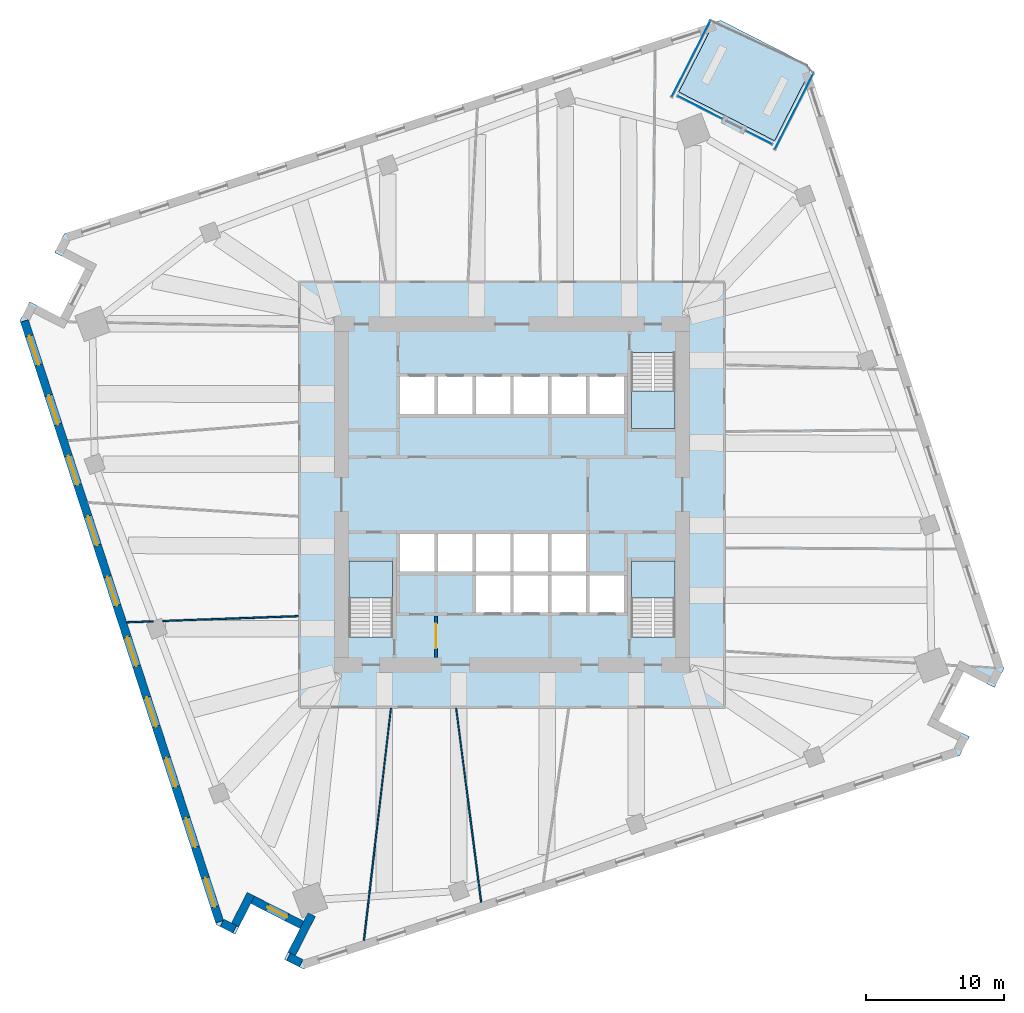
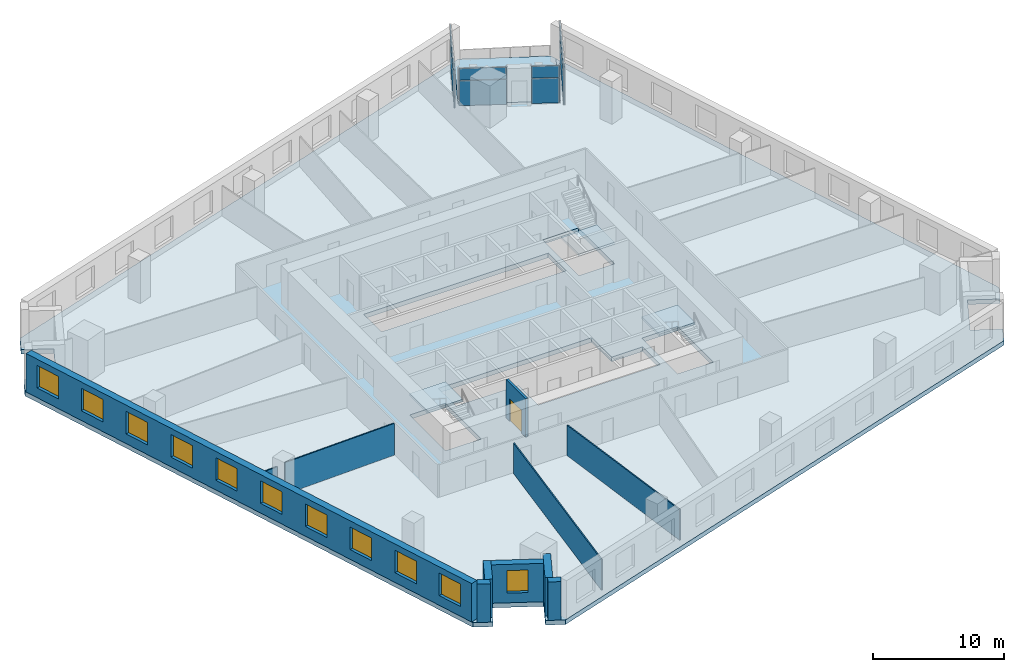
# One storey, part 5 of 12: 11 walls, 11 windows, 8 plates, 5 slabs, 1 door, 12 openings, 7 elements without a shape of their own.
"""IFC4 building model written with IfcOpenShell, lengths in metres."""

import ifcopenshell
import ifcopenshell.guid

model = None  # the IFC model being written
_history = None  # IfcOwnerHistory: only IFC2X3 demands one
_inside = {}  # id of a spatial element -> (the spatial element, [elements in it])
_under = {}  # id of a project, library or spatial element -> (it, [spatial elements below it])
_declared = {}  # id of a project -> (the project, [libraries it declares])
_typed = {}  # id of a type object -> (the type object, [elements of that type])
_made_of = {}  # id of a material, layer set ... -> (it, [elements and type objects made of it])


def new_model(schema):
    """Start an empty IFC model of exactly this schema.

    Asked for "IFC4X3", IfcOpenShell would pick the latest addendum, in which some entities
    have other attributes; the version numbers below select the first issue.
    IFC2X3 requires an IfcOwnerHistory on every rooted entity: one is made here for all.
    """
    global model, _history
    if schema == "IFC4X3":
        model = ifcopenshell.file(schema_version=(4, 3, 0, 0))
    else:
        model = ifcopenshell.file(schema=schema)
    _inside.clear()
    _under.clear()
    _declared.clear()
    _typed.clear()
    _made_of.clear()
    _history = None
    if model.schema == "IFC2X3":
        org = make("IfcOrganization", Name="unknown")
        user = make(
            "IfcPersonAndOrganization",
            ThePerson=make("IfcPerson", FamilyName="unknown"),
            TheOrganization=org,
        )
        app = make(
            "IfcApplication",
            ApplicationDeveloper=org,
            Version="unknown",
            ApplicationFullName="unknown",
            ApplicationIdentifier="unknown",
        )
        _history = make(
            "IfcOwnerHistory",
            OwningUser=user,
            OwningApplication=app,
            ChangeAction="ADDED",
            CreationDate=0,
        )
    return model


def make(cls, **values):
    """One entity of the class cls with the attributes given. An attribute that is None is left unset."""
    return model.create_entity(
        cls, **{name: value for name, value in values.items() if value is not None}
    )


def rooted(cls, **values):
    """An entity with a GlobalId (a new one), such as an element, a storey or a relation."""
    return make(cls, GlobalId=ifcopenshell.guid.new(), OwnerHistory=_history, **values)


def si_unit(unit_type, name, prefix=None):
    """IfcSIUnit, for example si_unit("LENGTHUNIT", "METRE", prefix="MILLI")."""
    return make("IfcSIUnit", UnitType=unit_type, Prefix=prefix, Name=name)


def assignment(units):
    """IfcUnitAssignment: the units of a project."""
    return None if units is None else make("IfcUnitAssignment", Units=units)


def point(xyz):
    """IfcCartesianPoint."""
    return None if xyz is None else make("IfcCartesianPoint", Coordinates=xyz)


def direction(xyz):
    """IfcDirection."""
    return None if xyz is None else make("IfcDirection", DirectionRatios=xyz)


def frame(location, z_axis=None, x_axis=None):
    """IfcAxis2Placement3D, a coordinate frame: its origin and axes. An axis left out is left unset."""
    return make(
        "IfcAxis2Placement3D",
        Location=point(location),
        Axis=direction(z_axis),
        RefDirection=direction(x_axis),
    )


def frame_2d(location, x_axis=None):
    """IfcAxis2Placement2D, a coordinate frame in the plane: its origin and x axis."""
    return make(
        "IfcAxis2Placement2D", Location=point(location), RefDirection=direction(x_axis)
    )


def origin():
    """The frame at (0, 0, 0) with its axes left unset."""
    return frame((0.0, 0.0, 0.0))


def origin_2d():
    """The frame at (0, 0) in the plane with its x axis left unset."""
    return frame_2d((0.0, 0.0))


def place(relative_to, where):
    """IfcLocalPlacement: puts the frame where relative to a parent placement (None: the world)."""
    return make(
        "IfcLocalPlacement", PlacementRelTo=relative_to, RelativePlacement=where
    )


def context(
    kind, dimensions, precision=None, world=None, true_north=None, identifier=None
):
    """IfcGeometricRepresentationContext, for example the 3D "Model" context."""
    return make(
        "IfcGeometricRepresentationContext",
        ContextIdentifier=identifier,
        ContextType=kind,
        CoordinateSpaceDimension=dimensions,
        Precision=precision,
        WorldCoordinateSystem=world,
        TrueNorth=true_north,
    )


def subcontext(parent, identifier, kind, view, scale=None):
    """IfcGeometricRepresentationSubContext, for example "Body" below "Model"."""
    return make(
        "IfcGeometricRepresentationSubContext",
        ContextIdentifier=identifier,
        ContextType=kind,
        ParentContext=parent,
        TargetScale=scale,
        TargetView=view,
    )


def project(units=None, contexts=None):
    """IfcProject with its units and contexts."""
    return rooted(
        "IfcProject",
        Name="project",
        RepresentationContexts=contexts,
        UnitsInContext=assignment(units),
    )


def spatial(cls, under=None, at=None, **own):
    """A site, building, storey or space (cls), placed at a placement, below another one or the project."""
    s = rooted(cls, ObjectPlacement=at, **own)
    if under is not None:
        _under.setdefault(under.id(), (under, []))[1].append(s)
    return s


def polyline(points):
    """IfcPolyline through the points."""
    return make("IfcPolyline", Points=[point(p) for p in points])


def profile(cls, at=None, kind="AREA", **sizes):
    """A parametric profile (cls). Its sizes go by their IFC names, for example OverallWidth=200.0."""
    return make(cls, ProfileType=kind, Position=at, **sizes)


def rectangle(**sizes):
    """IfcRectangleProfileDef."""
    return profile("IfcRectangleProfileDef", **sizes)


def outline(outer, holes=None, kind="AREA"):
    """IfcArbitraryClosedProfileDef: a profile drawn as a closed curve; with holes, ...WithVoids."""
    if holes is None:
        return make("IfcArbitraryClosedProfileDef", ProfileType=kind, OuterCurve=outer)
    return make(
        "IfcArbitraryProfileDefWithVoids",
        ProfileType=kind,
        OuterCurve=outer,
        InnerCurves=holes,
    )


def extrude(swept, where, along, depth):
    """IfcExtrudedAreaSolid: the profile swept, set in the frame where, extruded along a direction by depth."""
    return make(
        "IfcExtrudedAreaSolid",
        SweptArea=swept,
        Position=where,
        ExtrudedDirection=direction(along),
        Depth=depth,
    )


def shape(context_of_items, identifier, shape_type, items):
    """IfcShapeRepresentation: the items that make up one representation, for example the "Body"."""
    return make(
        "IfcShapeRepresentation",
        ContextOfItems=context_of_items,
        RepresentationIdentifier=identifier,
        RepresentationType=shape_type,
        Items=items,
    )


def material(Name=None, Category=None):
    """IfcMaterial."""
    return make("IfcMaterial", Name=Name, Category=Category)


def layer(
    of_material, thickness, ventilated=None, Name=None, Category=None, Priority=None
):
    """IfcMaterialLayer: one layer of a wall or slab, of a material (None: an air gap)."""
    return make(
        "IfcMaterialLayer",
        Material=of_material,
        LayerThickness=thickness,
        IsVentilated=ventilated,
        Name=Name,
        Category=Category,
        Priority=Priority,
    )


def layer_set(layers, Name=None):
    """IfcMaterialLayerSet."""
    return make("IfcMaterialLayerSet", MaterialLayers=layers, LayerSetName=Name)


def made_of(thing, what):
    """Note that an element or type object is made of a material, layer set ...; save() writes the relation."""
    if what is not None:
        _made_of.setdefault(what.id(), (what, []))[1].append(thing)
    return thing


def type_object(cls, material=None, **own):
    """A type object (cls), such as IfcWallType, which elements share."""
    return made_of(rooted(cls, **own), material)


def element(
    cls,
    number,
    at=None,
    inside=None,
    cuts=None,
    type_object=None,
    material=None,
    context=None,
    identifier="Body",
    shape_type=None,
    held_by="IfcProductDefinitionShape",
    body=None,
    shapes=None,
    **own,
):
    """One element of the class cls, such as IfcWall. Its Tag is "e" and its number.

    at: its placement. inside: the storey or other place that contains it. cuts: it is an
    opening in that element (IfcRelVoidsElement). A single representation is given by context,
    identifier, shape_type and body (its items); several are given by shapes. held_by: the class
    of the entity that holds the representations. save() writes the other relations.
    """
    e = rooted(cls, Tag="e%d" % number, ObjectPlacement=at, **own)
    if body is not None:
        shapes = [shape(context, identifier, shape_type, body)]
    if shapes is not None:
        e.Representation = make(held_by, Representations=shapes)
    if inside is not None:
        _inside.setdefault(inside.id(), (inside, []))[1].append(e)
    if cuts is not None:
        rooted(
            "IfcRelVoidsElement", RelatingBuildingElement=cuts, RelatedOpeningElement=e
        )
    if type_object is not None:
        _typed.setdefault(type_object.id(), (type_object, []))[1].append(e)
    return made_of(e, material)


def fill(opening, filler):
    """IfcRelFillsElement: the door or window that sits in an opening."""
    return rooted(
        "IfcRelFillsElement",
        RelatingOpeningElement=opening,
        RelatedBuildingElement=filler,
    )


def aggregate(whole, parts):
    """IfcRelAggregates: a whole, such as a stair, and the parts it consists of."""
    return rooted("IfcRelAggregates", RelatingObject=whole, RelatedObjects=parts)


def save(model, path):
    """Write the relations noted so far, then the file.

    IfcRelAggregates (storeys below a building ...), IfcRelContainedInSpatialStructure (elements
    in a storey), IfcRelDefinesByType, IfcRelAssociatesMaterial and IfcRelDeclares: one each for
    every whole, place, type object, material and project.
    """
    for whole, parts in _under.values():
        aggregate(whole, parts)
    for where, things in _inside.values():
        rooted(
            "IfcRelContainedInSpatialStructure",
            RelatedElements=things,
            RelatingStructure=where,
        )
    for kind, things in _typed.values():
        rooted("IfcRelDefinesByType", RelatedObjects=things, RelatingType=kind)
    for what, things in _made_of.values():
        rooted("IfcRelAssociatesMaterial", RelatedObjects=things, RelatingMaterial=what)
    for by, libraries in _declared.values():
        rooted("IfcRelDeclares", RelatingContext=by, RelatedDefinitions=libraries)
    model.write(path)


model = new_model("IFC4")

# Units and contexts
model_context = context("Model", 3, precision=1e-05, world=origin(), true_north=direction((0.0, 1.0)))
body_context = subcontext(model_context, "Body", "Model", "MODEL_VIEW")
ifc_project = project(units=[si_unit("LENGTHUNIT", "METRE"), si_unit("AREAUNIT", "SQUARE_METRE"), si_unit("VOLUMEUNIT", "CUBIC_METRE"), si_unit("PLANEANGLEUNIT", "RADIAN"), si_unit("MASSUNIT", "GRAM", prefix="KILO")], contexts=[model_context])

# Site, building, storey
site_placement = place(None, origin())
site = spatial("IfcSite", under=ifc_project, at=site_placement, CompositionType="ELEMENT")
building_placement = place(site_placement, origin())
building = spatial("IfcBuilding", under=site, at=building_placement, Name="Dilmun Exchange Tower", CompositionType="ELEMENT")
storey_placement = place(building_placement, frame((0.0, 0.0, 90.10009765625)))
storey = spatial("IfcBuildingStorey", under=building, at=storey_placement, Name="L20", CompositionType="ELEMENT", Elevation=90.10009765625)

# Stair, slab
ifc_material_1 = material(Name="Concrete C40/50", Category="concrete")
stair_type = type_object("IfcStairType", Name="Exit stair 1500 half-turn", PredefinedType="HALF_TURN_STAIR", material=ifc_material_1)
stair_1_placement = place(storey_placement, origin())
stair_1 = element("IfcStair", 1, at=stair_1_placement, inside=storey, type_object=stair_type, Name="L20 Protected exit stair ST1", PredefinedType="HALF_TURN_STAIR")
ifc_layer_1 = layer(ifc_material_1, 0.199951171875)
ifc_layer_set_1 = layer_set([ifc_layer_1], Name="Concrete C40/50")
slab_type_1 = type_object("IfcSlabType", Name="Exit stair landing 200", PredefinedType="LANDING", material=ifc_layer_set_1)
slab_1_placement = place(storey_placement, frame((0.0, 0.0, 1.7998046875)))
slab_1 = element("IfcSlab", 2, at=slab_1_placement, type_object=slab_type_1, Name="ST1 landing 1", PredefinedType="LANDING", context=body_context, shape_type="SweptSolid", body=[
    extrude(outline(polyline([(8.64990234375, 7.5), (8.64990234375, 4.800048828125), (11.800048828125, 4.800048828125), (11.800048828125, 7.5), (8.64990234375, 7.5)])), origin(), (0.0, 0.0, 1.0), 0.2001953125),
])
aggregate(stair_1, [slab_1])

stair_2_placement = place(storey_placement, origin())
stair_2 = element("IfcStair", 3, at=stair_2_placement, inside=storey, type_object=stair_type, Name="L20 Protected exit stair ST2", PredefinedType="HALF_TURN_STAIR")
slab_2_placement = place(storey_placement, frame((0.0, 0.0, 1.7998046875)))
slab_2 = element("IfcSlab", 4, at=slab_2_placement, type_object=slab_type_1, Name="ST2 landing 1", PredefinedType="LANDING", context=body_context, shape_type="SweptSolid", body=[
    extrude(outline(polyline([(-8.64990234375, -7.5), (-8.64990234375, -4.800048828125), (-11.800048828125, -4.800048828125), (-11.800048828125, -7.5), (-8.64990234375, -7.5)])), origin(), (0.0, 0.0, 1.0), 0.2001953125),
])
aggregate(stair_2, [slab_2])

stair_3_placement = place(storey_placement, origin())
stair_3 = element("IfcStair", 5, at=stair_3_placement, inside=storey, type_object=stair_type, Name="L20 Protected exit stair ST3", PredefinedType="HALF_TURN_STAIR")
slab_3_placement = place(storey_placement, frame((0.0, 0.0, 1.7998046875)))
slab_3 = element("IfcSlab", 6, at=slab_3_placement, type_object=slab_type_1, Name="ST3 landing 1", PredefinedType="LANDING", context=body_context, shape_type="SweptSolid", body=[
    extrude(outline(polyline([(11.800048828125, -7.5), (11.800048828125, -4.800048828125), (8.64990234375, -4.800048828125), (8.64990234375, -7.5), (11.800048828125, -7.5)])), origin(), (0.0, 0.0, 1.0), 0.2001953125),
])
aggregate(stair_3, [slab_3])

# Curtain wall, plates
ifc_material_2 = material(Name="Anodised aluminium and clear glass", Category="aluminium")
curtain_wall_type = type_object("IfcCurtainWallType", Name="Garden corner glazing", PredefinedType="NOTDEFINED", material=ifc_material_2)
curtain_wall_1_placement = place(storey_placement, origin())
curtain_wall_1 = element("IfcCurtainWall", 7, at=curtain_wall_1_placement, inside=storey, type_object=curtain_wall_type, Name="Garden corner glazing run GC1.1", PredefinedType="NOTDEFINED")
ifc_material_3 = material(Name="Clear glass", Category="glass")
ifc_layer_2 = layer(ifc_material_3, 0.028076171875)
ifc_layer_set_2 = layer_set([ifc_layer_2], Name="Clear glass")
plate_type = type_object("IfcPlateType", Name="Garden corner glazing glass panel 28", PredefinedType="CURTAIN_PANEL", material=ifc_layer_set_2)
plate_1_placement = place(storey_placement, frame((20.42822265625, 27.750244140625, 0.059814453125), z_axis=(0.0, 0.0, 1.0), x_axis=(-0.453988613418, -0.891007485315, 0.0)))
plate_1 = element("IfcPlate", 8, at=plate_1_placement, type_object=plate_type, Name="GC1.1 panel 1.1", PredefinedType="CURTAIN_PANEL", context=body_context, shape_type="SweptSolid", body=[
    extrude(rectangle(XDim=6.12646484375, YDim=0.028076171875, at=origin_2d()), origin(), (0.0, 0.0, 1.0), 2.31005859375),
])
plate_2_placement = place(storey_placement, frame((20.42822265625, 27.750244140625, 2.4296875), z_axis=(0.0, 0.0, 1.0), x_axis=(-0.453988613418, -0.891007485315, 0.0)))
plate_2 = element("IfcPlate", 9, at=plate_2_placement, type_object=plate_type, Name="GC1.1 panel 1.2", PredefinedType="CURTAIN_PANEL", context=body_context, shape_type="SweptSolid", body=[
    extrude(rectangle(XDim=6.12646484375, YDim=0.028076171875, at=origin_2d()), origin(), (0.0, 0.0, 1.0), 1.090087890625),
])
aggregate(curtain_wall_1, [plate_1, plate_2])

curtain_wall_2_placement = place(storey_placement, origin())
curtain_wall_2 = element("IfcCurtainWall", 10, at=curtain_wall_2_placement, inside=storey, type_object=curtain_wall_type, Name="Garden corner glazing run GC2.1", PredefinedType="NOTDEFINED")
plate_3_placement = place(storey_placement, frame((17.881591796875, 25.879150390625, 0.059814453125), z_axis=(0.0, 0.0, 1.0), x_axis=(-0.891016319837, 0.453971274184, 0.0)))
plate_3 = element("IfcPlate", 11, at=plate_3_placement, type_object=plate_type, Name="GC2.1 panel 1.1", PredefinedType="CURTAIN_PANEL", context=body_context, shape_type="SweptSolid", body=[
    extrude(rectangle(XDim=2.119140625, YDim=0.028076171875, at=origin_2d()), origin(), (0.0, 0.0, 1.0), 2.31005859375),
])
plate_4_placement = place(storey_placement, frame((17.881591796875, 25.879150390625, 2.4296875), z_axis=(0.0, 0.0, 1.0), x_axis=(-0.891016319837, 0.453971274184, 0.0)))
plate_4 = element("IfcPlate", 12, at=plate_4_placement, type_object=plate_type, Name="GC2.1 panel 1.2", PredefinedType="CURTAIN_PANEL", context=body_context, shape_type="SweptSolid", body=[
    extrude(rectangle(XDim=2.119140625, YDim=0.028076171875, at=origin_2d()), origin(), (0.0, 0.0, 1.0), 1.090087890625),
])
aggregate(curtain_wall_2, [plate_3, plate_4])

curtain_wall_3_placement = place(storey_placement, origin())
curtain_wall_3 = element("IfcCurtainWall", 13, at=curtain_wall_3_placement, inside=storey, type_object=curtain_wall_type, Name="Garden corner glazing run GC2.3", PredefinedType="NOTDEFINED")
plate_5_placement = place(storey_placement, frame((13.614501953125, 28.053466796875, 0.059814453125), z_axis=(0.0, 0.0, 1.0), x_axis=(-0.891004797005, 0.453993889512, 0.0)))
plate_5 = element("IfcPlate", 14, at=plate_5_placement, type_object=plate_type, Name="GC2.3 panel 1.1", PredefinedType="CURTAIN_PANEL", context=body_context, shape_type="SweptSolid", body=[
    extrude(rectangle(XDim=3.619140625, YDim=0.028076171875, at=origin_2d()), origin(), (0.0, 0.0, 1.0), 2.31005859375),
])
plate_6_placement = place(storey_placement, frame((13.614501953125, 28.053466796875, 2.4296875), z_axis=(0.0, 0.0, 1.0), x_axis=(-0.891004797005, 0.453993889512, 0.0)))
plate_6 = element("IfcPlate", 15, at=plate_6_placement, type_object=plate_type, Name="GC2.3 panel 1.2", PredefinedType="CURTAIN_PANEL", context=body_context, shape_type="SweptSolid", body=[
    extrude(rectangle(XDim=3.619140625, YDim=0.028076171875, at=origin_2d()), origin(), (0.0, 0.0, 1.0), 1.090087890625),
])
aggregate(curtain_wall_3, [plate_5, plate_6])

curtain_wall_4_placement = place(storey_placement, origin())
curtain_wall_4 = element("IfcCurtainWall", 16, at=curtain_wall_4_placement, inside=storey, type_object=curtain_wall_type, Name="Garden corner glazing run GC3.1", PredefinedType="NOTDEFINED")
plate_7_placement = place(storey_placement, frame((12.963134765625, 31.553955078125, 0.059814453125), z_axis=(0.0, 0.0, 1.0), x_axis=(0.453988613418, 0.891007485315, 0.0)))
plate_7 = element("IfcPlate", 17, at=plate_7_placement, type_object=plate_type, Name="GC3.1 panel 1.1", PredefinedType="CURTAIN_PANEL", context=body_context, shape_type="SweptSolid", body=[
    extrude(rectangle(XDim=6.12646484375, YDim=0.028076171875, at=origin_2d()), origin(), (0.0, 0.0, 1.0), 2.31005859375),
])
plate_8_placement = place(storey_placement, frame((12.963134765625, 31.553955078125, 2.4296875), z_axis=(0.0, 0.0, 1.0), x_axis=(0.453988613418, 0.891007485315, 0.0)))
plate_8 = element("IfcPlate", 18, at=plate_8_placement, type_object=plate_type, Name="GC3.1 panel 1.2", PredefinedType="CURTAIN_PANEL", context=body_context, shape_type="SweptSolid", body=[
    extrude(rectangle(XDim=6.12646484375, YDim=0.028076171875, at=origin_2d()), origin(), (0.0, 0.0, 1.0), 1.090087890625),
])
aggregate(curtain_wall_4, [plate_7, plate_8])

# Slabs
ifc_layer_3 = layer(ifc_material_1, 0.419921875)
ifc_layer_set_3 = layer_set([ifc_layer_3], Name="Concrete C40/50")
slab_type_2 = type_object("IfcSlabType", Name="RC floor slab 420", PredefinedType="FLOOR", material=ifc_layer_set_3)
slab_4_placement = place(storey_placement, frame((0.0, 0.0, -0.420166015625)))
element("IfcSlab", 19, at=slab_4_placement, inside=storey, type_object=slab_type_2, Name="Floor slab", PredefinedType="FLOOR", context=body_context, shape_type="SweptSolid", body=[
    extrude(outline(polyline([(34.94189453125, -13.971923828125), (32.714599609375, -12.8369140625), (30.8984375, -16.40087890625), (33.1259765625, -17.535888671875), (32.428955078125, -18.904296875), (-15.123779296875, -34.35498046875), (-16.4921875, -33.657958984375), (-15.357177734375, -31.430419921875), (-18.921142578125, -29.614501953125), (-20.05615234375, -31.841796875), (-21.42431640625, -31.144775390625), (-35.63916015625, 12.603759765625), (-34.94189453125, 13.971923828125), (-32.714599609375, 12.8369140625), (-30.8984375, 16.40087890625), (-33.1259765625, 17.535888671875), (-32.428955078125, 18.904296875), (14.6484375, 34.200439453125), (12.0849609375, 29.16943359375), (19.015380859375, 25.63818359375), (21.578857421875, 30.669189453125), (35.63916015625, -12.603759765625), (34.94189453125, -13.971923828125)]), holes=[polyline([(-8.64990234375, -4.800048828125), (-11.800048828125, -4.800048828125), (-11.800048828125, -10.294921875), (-8.64990234375, -10.294921875), (-8.64990234375, -4.800048828125)]), polyline([(11.800048828125, -4.800048828125), (8.64990234375, -4.800048828125), (8.64990234375, -10.294921875), (11.800048828125, -10.294921875), (11.800048828125, -4.800048828125)]), polyline([(-8.125, -2.85009765625), (-8.125, -5.550048828125), (-2.625, -5.550048828125), (-2.625, -8.550048828125), (8.125, -8.550048828125), (8.125, -5.85009765625), (5.375, -5.85009765625), (5.375, -2.85009765625), (-8.125, -2.85009765625)]), polyline([(-8.125, 5.85009765625), (8.125, 5.85009765625), (8.125, 8.550048828125), (-8.125, 8.550048828125), (-8.125, 5.85009765625)]), polyline([(8.64990234375, 10.294921875), (8.64990234375, 4.800048828125), (11.800048828125, 4.800048828125), (11.800048828125, 10.294921875), (8.64990234375, 10.294921875)])]), origin(), (0.0, 0.0, 1.0), 0.420166015625),
])
ifc_layer_4 = layer(ifc_material_1, 0.300048828125)
ifc_layer_set_4 = layer_set([ifc_layer_4], Name="Concrete C40/50")
slab_type_3 = type_object("IfcSlabType", Name="RC garden terrace slab 300", PredefinedType="FLOOR", material=ifc_layer_set_4)
slab_5_placement = place(storey_placement, frame((0.0, 0.0, -0.300048828125)))
element("IfcSlab", 20, at=slab_5_placement, inside=storey, type_object=slab_type_3, Name="Garden terrace slab", PredefinedType="FLOOR", context=body_context, shape_type="SweptSolid", body=[
    extrude(outline(polyline([(12.0849609375, 29.16943359375), (14.6484375, 34.200439453125), (15.123779296875, 34.35498046875), (21.42431640625, 31.144775390625), (21.578857421875, 30.669189453125), (19.015380859375, 25.63818359375), (12.0849609375, 29.16943359375)])), origin(), (0.0, 0.0, 1.0), 0.300048828125),
])

# Wall, opening, door
ifc_layer_5 = layer(ifc_material_1, 0.199951171875)
ifc_layer_set_5 = layer_set([ifc_layer_5], Name="Concrete C40/50")
wall_type_1 = type_object("IfcWallType", Name="Core partition wall 200", PredefinedType="PARTITIONING", material=ifc_layer_set_5)
wall_1_placement = place(storey_placement, frame((-5.5, -11.794921875, 0.0), z_axis=(0.0, 0.0, 1.0), x_axis=(0.0, 1.0, 0.0)))
wall_1 = element("IfcWall", 21, at=wall_1_placement, inside=storey, type_object=wall_type_1, Name="L20 core partition wall 01", PredefinedType="PARTITIONING", context=body_context, shape_type="SweptSolid", body=[
    extrude(rectangle(XDim=2.989990234375, YDim=0.199951171875, at=frame_2d((1.4951171875, 0.0))), origin(), (0.0, 0.0, 1.0), 3.579833984375),
])
opening_1_placement = place(wall_1_placement, frame((0.657470703125, 0.0, 0.0)))
opening_1 = element("IfcOpeningElement", 22, at=opening_1_placement, cuts=wall_1, Name="Opening CD5", PredefinedType="OPENING", context=body_context, shape_type="SweptSolid", body=[
    extrude(rectangle(XDim=1.800048828125, YDim=2.10009765625, at=frame_2d((0.89990234375, 1.050048828125))), frame((0.0, 0.10986328125, 0.0), z_axis=(0.0, -1.0, 0.0), x_axis=(1.0, 0.0, 0.0)), (0.0, 0.0, 1.0), 0.219970703125),
])
ifc_material_4 = material(Name="Fire-rated steel door set", Category="steel")
door_type = type_object("IfcDoorType", Name="Stair exit door 1800x2100", OperationType="SINGLE_SWING_LEFT", PredefinedType="DOOR", material=ifc_material_4)
door_placement = place(opening_1_placement, origin())
door = element("IfcDoor", 23, at=door_placement, inside=storey, type_object=door_type, Name="L20 door Service lobby east", OperationType="SINGLE_SWING_LEFT", OverallHeight=2.10009765625, OverallWidth=1.800048828125, PredefinedType="DOOR", context=body_context, shape_type="SweptSolid", body=[
    extrude(rectangle(XDim=1.800048828125, YDim=2.10009765625, at=frame_2d((0.89990234375, 1.050048828125))), frame((0.0, 0.02490234375, 0.0), z_axis=(0.0, -1.0, 0.0), x_axis=(1.0, 0.0, 0.0)), (0.0, 0.0, 1.0), 0.050048828125),
])
fill(opening_1, door)

# Walls
ifc_material_5 = material(Name="Partition 100")
ifc_layer_6 = layer(ifc_material_5, 0.10009765625)
ifc_layer_set_6 = layer_set([ifc_layer_6], Name="Partition 100")
wall_type_2 = type_object("IfcWallType", Name="Partition 100", PredefinedType="PARTITIONING", material=ifc_layer_set_6)
wall_2_placement = place(storey_placement, frame((-27.906005859375, -9.248291015625, 0.0), z_axis=(0.0, 0.0, 1.0), x_axis=(0.999356144168, 0.035878922986, 0.0)))
element("IfcWall", 24, at=wall_2_placement, inside=storey, type_object=wall_type_2, Name="Partition", PredefinedType="PARTITIONING", context=body_context, shape_type="SweptSolid", body=[
    extrude(rectangle(XDim=1.9052734375, YDim=0.10009765625, at=frame_2d((0.95263671875, 0.0))), origin(), (0.0, 0.0, 1.0), 2.829833984375),
])
wall_3_placement = place(storey_placement, frame((-25.297119140625, -9.154541015625, 0.0), z_axis=(0.0, 0.0, 1.0), x_axis=(0.999351792824, 0.035999919148, 0.0)))
element("IfcWall", 25, at=wall_3_placement, inside=storey, type_object=wall_type_2, Name="Partition", PredefinedType="PARTITIONING", context=body_context, shape_type="SweptSolid", body=[
    extrude(rectangle(XDim=9.82666015625, YDim=0.10009765625, at=frame_2d((4.913330078125, 0.0))), origin(), (0.0, 0.0, 1.0), 2.9599609375),
])
wall_4_placement = place(storey_placement, frame((-10.7255859375, -32.29296875, 0.0), z_axis=(0.0, 0.0, 1.0), x_axis=(0.115510456464, 0.993306264174, 0.0)))
element("IfcWall", 26, at=wall_4_placement, inside=storey, type_object=wall_type_2, Name="Partition", PredefinedType="PARTITIONING", context=body_context, shape_type="SweptSolid", body=[
    extrude(rectangle(XDim=16.925537109375, YDim=0.10009765625, at=frame_2d((8.462890625, 0.0))), origin(), (0.0, 0.0, 1.0), 2.829833984375),
])
wall_5_placement = place(storey_placement, frame((-4.04443359375, -15.4814453125, 0.0), z_axis=(0.0, 0.0, 1.0), x_axis=(0.12789369757, -0.991787881617, 0.0)))
element("IfcWall", 27, at=wall_5_placement, inside=storey, type_object=wall_type_2, Name="Partition", PredefinedType="PARTITIONING", context=body_context, shape_type="SweptSolid", body=[
    extrude(rectangle(XDim=14.168212890625, YDim=0.10009765625, at=frame_2d((7.083984375, 0.0))), origin(), (0.0, 0.0, 1.0), 2.829833984375),
])

# Wall, openings, windows
ifc_material_6 = material(Name="Precast concrete C50/60", Category="concrete")
ifc_layer_7 = layer(ifc_material_6, 0.60009765625)
ifc_layer_set_7 = layer_set([ifc_layer_7], Name="Precast concrete C50/60")
wall_type_3 = type_object("IfcWallType", Name="Precast stone-clad wall 600", PredefinedType="STANDARD", material=ifc_layer_set_7)
wall_6_placement = place(storey_placement, frame((-35.3154296875, 12.578369140625, 0.0), z_axis=(0.0, 0.0, 1.0), x_axis=(0.309016329352, -0.951056732374, 0.0)))
wall_6 = element("IfcWall", 28, at=wall_6_placement, inside=storey, type_object=wall_type_3, Name="Facade wall L20-09", PredefinedType="STANDARD", context=body_context, shape_type="SweptSolid", body=[
    extrude(rectangle(XDim=45.75146484375, YDim=0.60009765625, at=frame_2d((22.875732421875, 0.0))), origin(), (0.0, 0.0, 1.0), 3.579833984375),
])
opening_2_placement = place(wall_6_placement, frame((1.137939453125, 0.0, 0.89990234375)))
opening_2 = element("IfcOpeningElement", 29, at=opening_2_placement, cuts=wall_6, Name="Opening W220-210", PredefinedType="OPENING", context=body_context, shape_type="SweptSolid", body=[
    extrude(rectangle(XDim=2.199951171875, YDim=2.10009765625, at=frame_2d((1.10009765625, 1.050048828125))), frame((0.0, 0.31005859375, 0.0), z_axis=(0.0, -1.0, 0.0), x_axis=(1.0, 0.0, 0.0)), (0.0, 0.0, 1.0), 0.6201171875),
])
opening_3_placement = place(wall_6_placement, frame((5.67578125, 0.0, 0.89990234375)))
opening_3 = element("IfcOpeningElement", 30, at=opening_3_placement, cuts=wall_6, Name="Opening W220-210", PredefinedType="OPENING", context=body_context, shape_type="SweptSolid", body=[
    extrude(rectangle(XDim=2.199951171875, YDim=2.10009765625, at=frame_2d((1.10009765625, 1.050048828125))), frame((0.0, 0.31005859375, 0.0), z_axis=(0.0, -1.0, 0.0), x_axis=(1.0, 0.0, 0.0)), (0.0, 0.0, 1.0), 0.6201171875),
])
opening_4_placement = place(wall_6_placement, frame((10.275634765625, 0.0, 0.89990234375)))
opening_4 = element("IfcOpeningElement", 31, at=opening_4_placement, cuts=wall_6, Name="Opening W220-210", PredefinedType="OPENING", context=body_context, shape_type="SweptSolid", body=[
    extrude(rectangle(XDim=2.199951171875, YDim=2.10009765625, at=frame_2d((1.10009765625, 1.050048828125))), frame((0.0, 0.31005859375, 0.0), z_axis=(0.0, -1.0, 0.0), x_axis=(1.0, 0.0, 0.0)), (0.0, 0.0, 1.0), 0.6201171875),
])
opening_5_placement = place(wall_6_placement, frame((14.875732421875, 0.0, 0.89990234375)))
opening_5 = element("IfcOpeningElement", 32, at=opening_5_placement, cuts=wall_6, Name="Opening W220-210", PredefinedType="OPENING", context=body_context, shape_type="SweptSolid", body=[
    extrude(rectangle(XDim=2.199951171875, YDim=2.10009765625, at=frame_2d((1.10009765625, 1.050048828125))), frame((0.0, 0.31005859375, 0.0), z_axis=(0.0, -1.0, 0.0), x_axis=(1.0, 0.0, 0.0)), (0.0, 0.0, 1.0), 0.6201171875),
])
opening_6_placement = place(wall_6_placement, frame((19.4755859375, 0.0, 0.89990234375)))
opening_6 = element("IfcOpeningElement", 33, at=opening_6_placement, cuts=wall_6, Name="Opening W220-210", PredefinedType="OPENING", context=body_context, shape_type="SweptSolid", body=[
    extrude(rectangle(XDim=2.199951171875, YDim=2.10009765625, at=frame_2d((1.10009765625, 1.050048828125))), frame((0.0, 0.31005859375, 0.0), z_axis=(0.0, -1.0, 0.0), x_axis=(1.0, 0.0, 0.0)), (0.0, 0.0, 1.0), 0.6201171875),
])
opening_7_placement = place(wall_6_placement, frame((24.07568359375, 0.0, 0.89990234375)))
opening_7 = element("IfcOpeningElement", 34, at=opening_7_placement, cuts=wall_6, Name="Opening W220-210", PredefinedType="OPENING", context=body_context, shape_type="SweptSolid", body=[
    extrude(rectangle(XDim=2.199951171875, YDim=2.10009765625, at=frame_2d((1.10009765625, 1.050048828125))), frame((0.0, 0.31005859375, 0.0), z_axis=(0.0, -1.0, 0.0), x_axis=(1.0, 0.0, 0.0)), (0.0, 0.0, 1.0), 0.6201171875),
])
opening_8_placement = place(wall_6_placement, frame((28.67578125, 0.0, 0.89990234375)))
opening_8 = element("IfcOpeningElement", 35, at=opening_8_placement, cuts=wall_6, Name="Opening W220-210", PredefinedType="OPENING", context=body_context, shape_type="SweptSolid", body=[
    extrude(rectangle(XDim=2.199951171875, YDim=2.10009765625, at=frame_2d((1.10009765625, 1.050048828125))), frame((0.0, 0.31005859375, 0.0), z_axis=(0.0, -1.0, 0.0), x_axis=(1.0, 0.0, 0.0)), (0.0, 0.0, 1.0), 0.6201171875),
])
opening_9_placement = place(wall_6_placement, frame((33.275634765625, 0.0, 0.89990234375)))
opening_9 = element("IfcOpeningElement", 36, at=opening_9_placement, cuts=wall_6, Name="Opening W220-210", PredefinedType="OPENING", context=body_context, shape_type="SweptSolid", body=[
    extrude(rectangle(XDim=2.199951171875, YDim=2.10009765625, at=frame_2d((1.10009765625, 1.050048828125))), frame((0.0, 0.31005859375, 0.0), z_axis=(0.0, -1.0, 0.0), x_axis=(1.0, 0.0, 0.0)), (0.0, 0.0, 1.0), 0.6201171875),
])
opening_10_placement = place(wall_6_placement, frame((37.875732421875, 0.0, 0.89990234375)))
opening_10 = element("IfcOpeningElement", 37, at=opening_10_placement, cuts=wall_6, Name="Opening W220-210", PredefinedType="OPENING", context=body_context, shape_type="SweptSolid", body=[
    extrude(rectangle(XDim=2.199951171875, YDim=2.10009765625, at=frame_2d((1.10009765625, 1.050048828125))), frame((0.0, 0.31005859375, 0.0), z_axis=(0.0, -1.0, 0.0), x_axis=(1.0, 0.0, 0.0)), (0.0, 0.0, 1.0), 0.6201171875),
])
opening_11_placement = place(wall_6_placement, frame((42.41357421875, 0.0, 0.89990234375)))
opening_11 = element("IfcOpeningElement", 38, at=opening_11_placement, cuts=wall_6, Name="Opening W220-210", PredefinedType="OPENING", context=body_context, shape_type="SweptSolid", body=[
    extrude(rectangle(XDim=2.199951171875, YDim=2.10009765625, at=frame_2d((1.10009765625, 1.050048828125))), frame((0.0, 0.31005859375, 0.0), z_axis=(0.0, -1.0, 0.0), x_axis=(1.0, 0.0, 0.0)), (0.0, 0.0, 1.0), 0.6201171875),
])
ifc_material_7 = material(Name="Clear low-emissivity glass in aluminium frame", Category="aluminium")
window_type_1 = type_object("IfcWindowType", Name="Punched window 2200 x 2100", PartitioningType="DOUBLE_PANEL_VERTICAL", PredefinedType="WINDOW", material=ifc_material_7)
window_1_placement = place(opening_2_placement, origin())
window_1 = element("IfcWindow", 39, at=window_1_placement, inside=storey, type_object=window_type_1, Name="Window 10.1", OverallHeight=2.10009765625, OverallWidth=2.199951171875, PartitioningType="SINGLE_PANEL", PredefinedType="WINDOW", context=body_context, shape_type="SweptSolid", body=[
    extrude(rectangle(XDim=2.199951171875, YDim=2.10009765625, at=frame_2d((1.10009765625, 1.050048828125))), frame((0.0, 0.030029296875, 0.0), z_axis=(0.0, -1.0, 0.0), x_axis=(1.0, 0.0, 0.0)), (0.0, 0.0, 1.0), 0.06005859375),
])
fill(opening_2, window_1)
window_2_placement = place(opening_3_placement, origin())
window_2 = element("IfcWindow", 40, at=window_2_placement, inside=storey, type_object=window_type_1, Name="Window 10.2", OverallHeight=2.10009765625, OverallWidth=2.199951171875, PartitioningType="SINGLE_PANEL", PredefinedType="WINDOW", context=body_context, shape_type="SweptSolid", body=[
    extrude(rectangle(XDim=2.199951171875, YDim=2.10009765625, at=frame_2d((1.10009765625, 1.050048828125))), frame((0.0, 0.030029296875, 0.0), z_axis=(0.0, -1.0, 0.0), x_axis=(1.0, 0.0, 0.0)), (0.0, 0.0, 1.0), 0.06005859375),
])
fill(opening_3, window_2)
window_3_placement = place(opening_4_placement, origin())
window_3 = element("IfcWindow", 41, at=window_3_placement, inside=storey, type_object=window_type_1, Name="Window 10.3", OverallHeight=2.10009765625, OverallWidth=2.199951171875, PartitioningType="SINGLE_PANEL", PredefinedType="WINDOW", context=body_context, shape_type="SweptSolid", body=[
    extrude(rectangle(XDim=2.199951171875, YDim=2.10009765625, at=frame_2d((1.10009765625, 1.050048828125))), frame((0.0, 0.030029296875, 0.0), z_axis=(0.0, -1.0, 0.0), x_axis=(1.0, 0.0, 0.0)), (0.0, 0.0, 1.0), 0.06005859375),
])
fill(opening_4, window_3)
window_4_placement = place(opening_5_placement, origin())
window_4 = element("IfcWindow", 42, at=window_4_placement, inside=storey, type_object=window_type_1, Name="Window 10.4", OverallHeight=2.10009765625, OverallWidth=2.199951171875, PartitioningType="SINGLE_PANEL", PredefinedType="WINDOW", context=body_context, shape_type="SweptSolid", body=[
    extrude(rectangle(XDim=2.199951171875, YDim=2.10009765625, at=frame_2d((1.10009765625, 1.050048828125))), frame((0.0, 0.030029296875, 0.0), z_axis=(0.0, -1.0, 0.0), x_axis=(1.0, 0.0, 0.0)), (0.0, 0.0, 1.0), 0.06005859375),
])
fill(opening_5, window_4)
window_5_placement = place(opening_6_placement, origin())
window_5 = element("IfcWindow", 43, at=window_5_placement, inside=storey, type_object=window_type_1, Name="Window 10.5", OverallHeight=2.10009765625, OverallWidth=2.199951171875, PartitioningType="SINGLE_PANEL", PredefinedType="WINDOW", context=body_context, shape_type="SweptSolid", body=[
    extrude(rectangle(XDim=2.199951171875, YDim=2.10009765625, at=frame_2d((1.10009765625, 1.050048828125))), frame((0.0, 0.030029296875, 0.0), z_axis=(0.0, -1.0, 0.0), x_axis=(1.0, 0.0, 0.0)), (0.0, 0.0, 1.0), 0.06005859375),
])
fill(opening_6, window_5)
window_6_placement = place(opening_7_placement, origin())
window_6 = element("IfcWindow", 44, at=window_6_placement, inside=storey, type_object=window_type_1, Name="Window 10.6", OverallHeight=2.10009765625, OverallWidth=2.199951171875, PartitioningType="SINGLE_PANEL", PredefinedType="WINDOW", context=body_context, shape_type="SweptSolid", body=[
    extrude(rectangle(XDim=2.199951171875, YDim=2.10009765625, at=frame_2d((1.10009765625, 1.050048828125))), frame((0.0, 0.030029296875, 0.0), z_axis=(0.0, -1.0, 0.0), x_axis=(1.0, 0.0, 0.0)), (0.0, 0.0, 1.0), 0.06005859375),
])
fill(opening_7, window_6)
window_7_placement = place(opening_8_placement, origin())
window_7 = element("IfcWindow", 45, at=window_7_placement, inside=storey, type_object=window_type_1, Name="Window 10.7", OverallHeight=2.10009765625, OverallWidth=2.199951171875, PartitioningType="SINGLE_PANEL", PredefinedType="WINDOW", context=body_context, shape_type="SweptSolid", body=[
    extrude(rectangle(XDim=2.199951171875, YDim=2.10009765625, at=frame_2d((1.10009765625, 1.050048828125))), frame((0.0, 0.030029296875, 0.0), z_axis=(0.0, -1.0, 0.0), x_axis=(1.0, 0.0, 0.0)), (0.0, 0.0, 1.0), 0.06005859375),
])
fill(opening_8, window_7)
window_8_placement = place(opening_9_placement, origin())
window_8 = element("IfcWindow", 46, at=window_8_placement, inside=storey, type_object=window_type_1, Name="Window 10.8", OverallHeight=2.10009765625, OverallWidth=2.199951171875, PartitioningType="SINGLE_PANEL", PredefinedType="WINDOW", context=body_context, shape_type="SweptSolid", body=[
    extrude(rectangle(XDim=2.199951171875, YDim=2.10009765625, at=frame_2d((1.10009765625, 1.050048828125))), frame((0.0, 0.030029296875, 0.0), z_axis=(0.0, -1.0, 0.0), x_axis=(1.0, 0.0, 0.0)), (0.0, 0.0, 1.0), 0.06005859375),
])
fill(opening_9, window_8)
window_9_placement = place(opening_10_placement, origin())
window_9 = element("IfcWindow", 47, at=window_9_placement, inside=storey, type_object=window_type_1, Name="Window 10.9", OverallHeight=2.10009765625, OverallWidth=2.199951171875, PartitioningType="SINGLE_PANEL", PredefinedType="WINDOW", context=body_context, shape_type="SweptSolid", body=[
    extrude(rectangle(XDim=2.199951171875, YDim=2.10009765625, at=frame_2d((1.10009765625, 1.050048828125))), frame((0.0, 0.030029296875, 0.0), z_axis=(0.0, -1.0, 0.0), x_axis=(1.0, 0.0, 0.0)), (0.0, 0.0, 1.0), 0.06005859375),
])
fill(opening_10, window_9)
window_10_placement = place(opening_11_placement, origin())
window_10 = element("IfcWindow", 48, at=window_10_placement, inside=storey, type_object=window_type_1, Name="Window 10.10", OverallHeight=2.10009765625, OverallWidth=2.199951171875, PartitioningType="SINGLE_PANEL", PredefinedType="WINDOW", context=body_context, shape_type="SweptSolid", body=[
    extrude(rectangle(XDim=2.199951171875, YDim=2.10009765625, at=frame_2d((1.10009765625, 1.050048828125))), frame((0.0, 0.030029296875, 0.0), z_axis=(0.0, -1.0, 0.0), x_axis=(1.0, 0.0, 0.0)), (0.0, 0.0, 1.0), 0.06005859375),
])
fill(opening_11, window_10)

# Walls
wall_7_placement = place(storey_placement, frame((-20.999267578125, -31.024658203125, 0.0), z_axis=(0.0, 0.0, 1.0), x_axis=(0.890973169717, -0.454055955632, 0.0)))
element("IfcWall", 49, at=wall_7_placement, inside=storey, type_object=wall_type_3, Name="Facade wall L20-10", PredefinedType="STANDARD", context=body_context, shape_type="SweptSolid", body=[
    extrude(rectangle(XDim=1.011474609375, YDim=0.60009765625, at=frame_2d((0.505859375, 0.0))), origin(), (0.0, 0.0, 1.0), 3.579833984375),
])
wall_8_placement = place(storey_placement, frame((-20.051025390625, -31.171142578125, 0.0), z_axis=(0.0, 0.0, 1.0), x_axis=(0.453997461601, 0.891002976909, 0.0)))
element("IfcWall", 50, at=wall_8_placement, inside=storey, type_object=wall_type_3, Name="Facade wall L20-11", PredefinedType="STANDARD", context=body_context, shape_type="SweptSolid", body=[
    extrude(rectangle(XDim=2.5, YDim=0.60009765625, at=frame_2d((1.25, 0.0))), origin(), (0.0, 0.0, 1.0), 3.579833984375),
])

# Wall, opening, window
wall_9_placement = place(storey_placement, frame((-18.784912109375, -29.34716796875, 0.0), z_axis=(0.0, 0.0, 1.0), x_axis=(0.891007820683, -0.453987955216, 0.0)))
wall_9 = element("IfcWall", 51, at=wall_9_placement, inside=storey, type_object=wall_type_3, Name="Facade wall L20-12", PredefinedType="STANDARD", context=body_context, shape_type="SweptSolid", body=[
    extrude(rectangle(XDim=4.0, YDim=0.60009765625, at=frame_2d((2.0, 0.0))), origin(), (0.0, 0.0, 1.0), 3.579833984375),
])
opening_12_placement = place(wall_9_placement, frame((1.199951171875, 0.0, 0.89990234375)))
opening_12 = element("IfcOpeningElement", 52, at=opening_12_placement, cuts=wall_9, Name="Opening W160-210", PredefinedType="OPENING", context=body_context, shape_type="SweptSolid", body=[
    extrude(rectangle(XDim=1.60009765625, YDim=2.10009765625, at=frame_2d((0.800048828125, 1.050048828125))), frame((0.0, 0.31005859375, 0.0), z_axis=(0.0, -1.0, 0.0), x_axis=(1.0, 0.0, 0.0)), (0.0, 0.0, 1.0), 0.6201171875),
])
window_type_2 = type_object("IfcWindowType", Name="Punched window 1600 x 2100", PartitioningType="DOUBLE_PANEL_VERTICAL", PredefinedType="WINDOW", material=ifc_material_7)
window_11_placement = place(opening_12_placement, origin())
window_11 = element("IfcWindow", 53, at=window_11_placement, inside=storey, type_object=window_type_2, Name="Window 13.1", OverallHeight=2.10009765625, OverallWidth=1.60009765625, PartitioningType="SINGLE_PANEL", PredefinedType="WINDOW", context=body_context, shape_type="SweptSolid", body=[
    extrude(rectangle(XDim=1.60009765625, YDim=2.10009765625, at=frame_2d((0.800048828125, 1.050048828125))), frame((0.0, 0.030029296875, 0.0), z_axis=(0.0, -1.0, 0.0), x_axis=(1.0, 0.0, 0.0)), (0.0, 0.0, 1.0), 0.06005859375),
])
fill(opening_12, window_11)

# Walls
wall_10_placement = place(storey_placement, frame((-14.506103515625, -30.4208984375, 0.0), z_axis=(0.0, 0.0, 1.0), x_axis=(-0.453975143947, -0.891014348189, 0.0)))
element("IfcWall", 54, at=wall_10_placement, inside=storey, type_object=wall_type_3, Name="Facade wall L20-13", PredefinedType="STANDARD", context=body_context, shape_type="SweptSolid", body=[
    extrude(rectangle(XDim=3.185791015625, YDim=0.60009765625, at=frame_2d((1.5927734375, 0.0))), origin(), (0.0, 0.0, 1.0), 3.579833984375),
])
wall_11_placement = place(storey_placement, frame((-16.177734375, -33.4814453125, 0.0), z_axis=(0.0, 0.0, 1.0), x_axis=(0.89107081483, -0.453864300157, 0.0)))
element("IfcWall", 55, at=wall_11_placement, inside=storey, type_object=wall_type_3, Name="Facade wall L20-14", PredefinedType="STANDARD", context=body_context, shape_type="SweptSolid", body=[
    extrude(rectangle(XDim=1.01123046875, YDim=0.60009765625, at=frame_2d((0.505615234375, 0.0))), origin(), (0.0, 0.0, 1.0), 3.579833984375),
])

save(model, "model.ifc")
